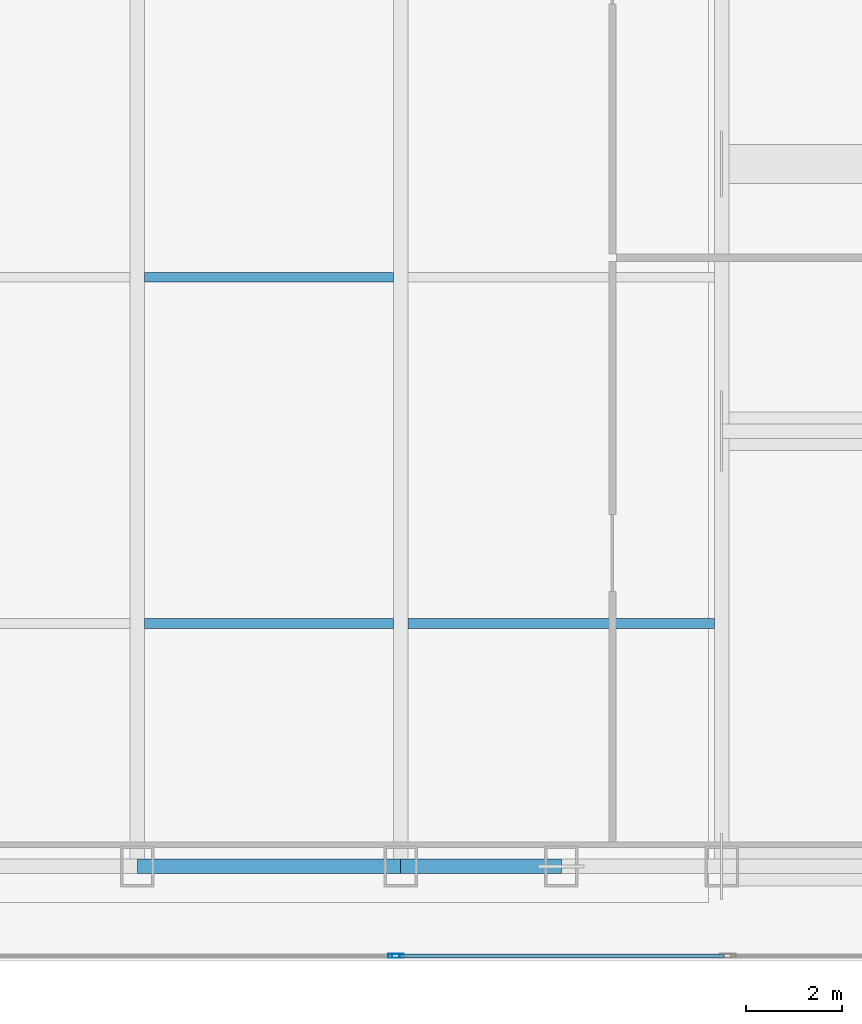
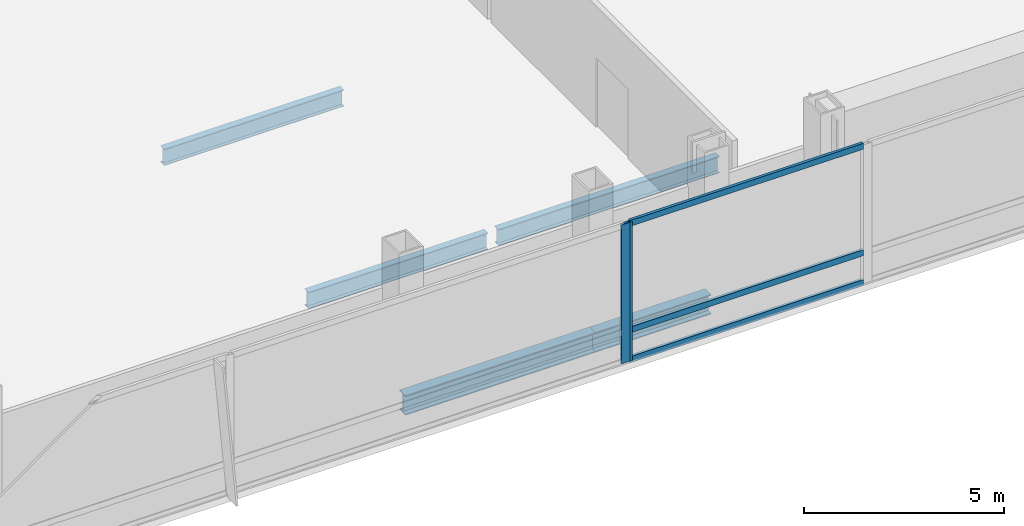
# One storey, part 11 of 25: 5 beams, 5 members, 2 elements without a shape of their own.
"""IFC4 building model written with IfcOpenShell, lengths in metres."""

from ifc_helpers import new_model, si_unit, direction, frame, origin, origin_2d, place, context, subcontext, project, spatial, hollow_rectangle, i_section, extrude, material, material_profile, profile_set, type_object, element, aggregate, save


model = new_model("IFC4")

# Units and contexts
model_context = context("Model", 3, precision=1e-05, world=origin(), true_north=direction((0.0, 1.0)))
body_context = subcontext(model_context, "Body", "Model", "MODEL_VIEW")
ifc_project = project(units=[si_unit("LENGTHUNIT", "METRE"), si_unit("AREAUNIT", "SQUARE_METRE"), si_unit("VOLUMEUNIT", "CUBIC_METRE"), si_unit("PLANEANGLEUNIT", "RADIAN"), si_unit("MASSUNIT", "GRAM", prefix="KILO")], contexts=[model_context])

# Site, building, storey
site_placement = place(None, origin())
site = spatial("IfcSite", under=ifc_project, at=site_placement, CompositionType="ELEMENT")
building_placement = place(site_placement, origin())
building = spatial("IfcBuilding", under=site, at=building_placement, Name="Khoronbel Lancet Exchange", CompositionType="ELEMENT")
storey_placement = place(building_placement, frame((0.0, 0.0, 184.199951171875)))
storey = spatial("IfcBuildingStorey", under=building, at=storey_placement, Name="L46", CompositionType="ELEMENT", Elevation=184.199951171875)

# Beams
ifc_material_1 = material(Name="Steel S355", Category="steel")
ifc_material_profile_1 = material_profile(ifc_material_1, i_section(OverallWidth=0.199951171875, OverallDepth=0.5, WebThickness=0.01025390625, FlangeThickness=0.01611328125, at=origin_2d()), Name="IPE 500")
ifc_profile_set_1 = profile_set([ifc_material_profile_1], Name="Steel S355")
beam_type_1 = type_object("IfcBeamType", Name="BM-BJ3", PredefinedType="JOIST", material=ifc_profile_set_1)
beam_1_placement = place(storey_placement, frame((42.675048828125, 15.199951171875, -0.449951171875), z_axis=(1.0, 0.0, 0.0), x_axis=(0.0, 1.0, 0.0)))
element("IfcBeam", 1, at=beam_1_placement, inside=storey, type_object=beam_type_1, Name="Level L46 secondary composite joist J04", PredefinedType="JOIST", context=body_context, shape_type="SweptSolid", body=[
    extrude(i_section(OverallWidth=0.199951171875, OverallDepth=0.5, WebThickness=0.01025390625, FlangeThickness=0.01611328125, at=origin_2d()), origin(), (0.0, 0.0, 1.0), 5.175048828125),
])
beam_2_placement = place(storey_placement, frame((48.14990234375, 15.199951171875, -0.449951171875), z_axis=(1.0, 0.0, 0.0), x_axis=(0.0, 1.0, 0.0)))
element("IfcBeam", 2, at=beam_2_placement, inside=storey, type_object=beam_type_1, Name="Level L46 secondary composite joist J05", PredefinedType="JOIST", context=body_context, shape_type="SweptSolid", body=[
    extrude(i_section(OverallWidth=0.199951171875, OverallDepth=0.5, WebThickness=0.01025390625, FlangeThickness=0.01611328125, at=origin_2d()), origin(), (0.0, 0.0, 1.0), 6.375),
])
beam_3_placement = place(storey_placement, frame((42.675048828125, 22.39990234375, -0.449951171875), z_axis=(1.0, 0.0, 0.0), x_axis=(0.0, 1.0, 0.0)))
element("IfcBeam", 3, at=beam_3_placement, inside=storey, type_object=beam_type_1, Name="Level L46 secondary composite joist J09", PredefinedType="JOIST", context=body_context, shape_type="SweptSolid", body=[
    extrude(i_section(OverallWidth=0.199951171875, OverallDepth=0.5, WebThickness=0.01025390625, FlangeThickness=0.01611328125, at=origin_2d()), origin(), (0.0, 0.0, 1.0), 5.175048828125),
])
ifc_material_profile_2 = material_profile(ifc_material_1, i_section(OverallWidth=0.300048828125, OverallDepth=0.60009765625, WebThickness=0.015380859375, FlangeThickness=0.030029296875, at=origin_2d()), Name="HEB 600")
ifc_profile_set_2 = profile_set([ifc_material_profile_2], Name="Steel S355")
beam_type_2 = type_object("IfcBeamType", Name="BM-BSP2", PredefinedType="SPANDREL", material=ifc_profile_set_2)
beam_4_placement = place(storey_placement, frame((42.52490234375, 10.14990234375, -0.5), z_axis=(1.0, 0.0, 0.0), x_axis=(0.0, 1.0, 0.0)))
element("IfcBeam", 4, at=beam_4_placement, inside=storey, type_object=beam_type_2, Name="Level L46 perimeter spandrel beam SP06", PredefinedType="SPANDREL", context=body_context, shape_type="SweptSolid", body=[
    extrude(i_section(OverallWidth=0.300048828125, OverallDepth=0.60009765625, WebThickness=0.015380859375, FlangeThickness=0.030029296875, at=origin_2d()), origin(), (0.0, 0.0, 1.0), 5.47509765625),
])
beam_5_placement = place(storey_placement, frame((48.0, 10.14990234375, -0.5), z_axis=(1.0, 0.0, 0.0), x_axis=(0.0, 1.0, 0.0)))
element("IfcBeam", 5, at=beam_5_placement, inside=storey, type_object=beam_type_2, Name="Level L46 perimeter spandrel beam SP07", PredefinedType="SPANDREL", context=body_context, shape_type="SweptSolid", body=[
    extrude(i_section(OverallWidth=0.300048828125, OverallDepth=0.60009765625, WebThickness=0.015380859375, FlangeThickness=0.030029296875, at=origin_2d()), origin(), (0.0, 0.0, 1.0), 3.33740234375),
])

# Curtain wall, member
ifc_material_2 = material(Name="Low-E Solar Control Insulating Glass", Category="glass")
curtain_wall_type = type_object("IfcCurtainWallType", Name="CW-3", PredefinedType="NOTDEFINED", material=ifc_material_2)
curtain_wall_1_placement = place(storey_placement, origin())
curtain_wall_1 = element("IfcCurtainWall", 6, at=curtain_wall_1_placement, inside=storey, type_object=curtain_wall_type, Name="Unitised curtain wall CW-L46-SCV", PredefinedType="NOTDEFINED")
ifc_material_3 = material(Name="Bronze-Anodised Aluminium 6063-T6", Category="aluminium")
ifc_material_profile_3 = material_profile(ifc_material_3, hollow_rectangle(XDim=0.0849609375, YDim=0.239990234375, WallThickness=0.006103515625, at=origin_2d()), Name="ALU MULLION 85x240")
ifc_profile_set_3 = profile_set([ifc_material_profile_3], Name="Bronze-Anodised Aluminium 6063-T6")
member_type_1 = type_object("IfcMemberType", Name="MEM-CWM1", PredefinedType="MULLION", material=ifc_profile_set_3)
member_1_placement = place(storey_placement, frame((47.857421875, 8.2900390625, 0.0), z_axis=(0.0, 0.0, 1.0), x_axis=(0.0, 1.0, 0.0)))
member_1 = element("IfcMember", 7, at=member_1_placement, type_object=member_type_1, Name="CW3 mullion 3", PredefinedType="MULLION", context=body_context, shape_type="SweptSolid", body=[
    extrude(hollow_rectangle(XDim=0.0849609375, YDim=0.239990234375, WallThickness=0.006103515625, at=origin_2d()), origin(), (0.0, 0.0, 1.0), 4.239990234375),
])
aggregate(curtain_wall_1, [member_1])

# Curtain wall, members
curtain_wall_2_placement = place(storey_placement, origin())
curtain_wall_2 = element("IfcCurtainWall", 8, at=curtain_wall_2_placement, inside=storey, type_object=curtain_wall_type, Name="Unitised curtain wall CW-L46-SEB", PredefinedType="NOTDEFINED")
member_2_placement = place(storey_placement, frame((47.9423828125, 8.2900390625, 0.0), z_axis=(0.0, 0.0, 1.0), x_axis=(0.0, 1.0, 0.0)))
member_2 = element("IfcMember", 9, at=member_2_placement, type_object=member_type_1, Name="CW3 mullion 1", PredefinedType="MULLION", context=body_context, shape_type="SweptSolid", body=[
    extrude(hollow_rectangle(XDim=0.0849609375, YDim=0.239990234375, WallThickness=0.006103515625, at=origin_2d()), origin(), (0.0, 0.0, 1.0), 4.239990234375),
])
ifc_material_profile_4 = material_profile(ifc_material_3, hollow_rectangle(XDim=0.0849609375, YDim=0.179931640625, WallThickness=0.0048828125, at=origin_2d()), Name="ALU TRANSOM 85x180")
ifc_profile_set_4 = profile_set([ifc_material_profile_4], Name="Bronze-Anodised Aluminium 6063-T6")
member_type_2 = type_object("IfcMemberType", Name="MEM-CWT1", PredefinedType="USERDEFINED", material=ifc_profile_set_4)
member_3_placement = place(storey_placement, frame((47.985107421875, 8.2900390625, 0.04248046875), z_axis=(1.0, 0.0, 0.0), x_axis=(0.0, 1.0, 0.0)))
member_3 = element("IfcMember", 10, at=member_3_placement, type_object=member_type_2, Name="CW3 transom 1.1", ObjectType="TRANSOM", PredefinedType="USERDEFINED", context=body_context, shape_type="SweptSolid", body=[
    extrude(hollow_rectangle(XDim=0.0849609375, YDim=0.179931640625, WallThickness=0.0048828125, at=origin_2d()), origin(), (0.0, 0.0, 1.0), 6.72998046875),
])
member_4_placement = place(storey_placement, frame((47.985107421875, 8.2900390625, 0.949951171875), z_axis=(1.0, 0.0, 0.0), x_axis=(0.0, 1.0, 0.0)))
member_4 = element("IfcMember", 11, at=member_4_placement, type_object=member_type_2, Name="CW3 transom 1.2", ObjectType="TRANSOM", PredefinedType="USERDEFINED", context=body_context, shape_type="SweptSolid", body=[
    extrude(hollow_rectangle(XDim=0.0849609375, YDim=0.179931640625, WallThickness=0.0048828125, at=origin_2d()), origin(), (0.0, 0.0, 1.0), 6.72998046875),
])
member_5_placement = place(storey_placement, frame((47.985107421875, 8.2900390625, 4.197509765625), z_axis=(1.0, 0.0, 0.0), x_axis=(0.0, 1.0, 0.0)))
member_5 = element("IfcMember", 12, at=member_5_placement, type_object=member_type_2, Name="CW3 transom 1.3", ObjectType="TRANSOM", PredefinedType="USERDEFINED", context=body_context, shape_type="SweptSolid", body=[
    extrude(hollow_rectangle(XDim=0.0849609375, YDim=0.179931640625, WallThickness=0.0048828125, at=origin_2d()), origin(), (0.0, 0.0, 1.0), 6.72998046875),
])
aggregate(curtain_wall_2, [member_2, member_3, member_4, member_5])

save(model, "model.ifc")
